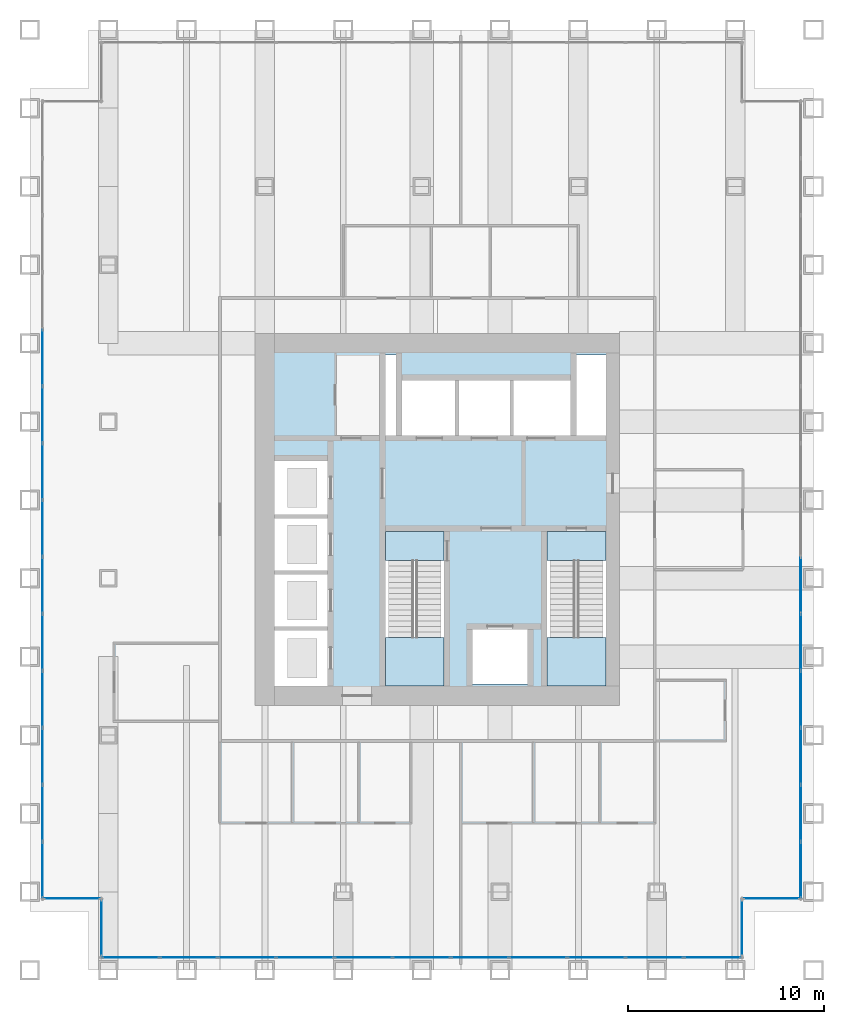
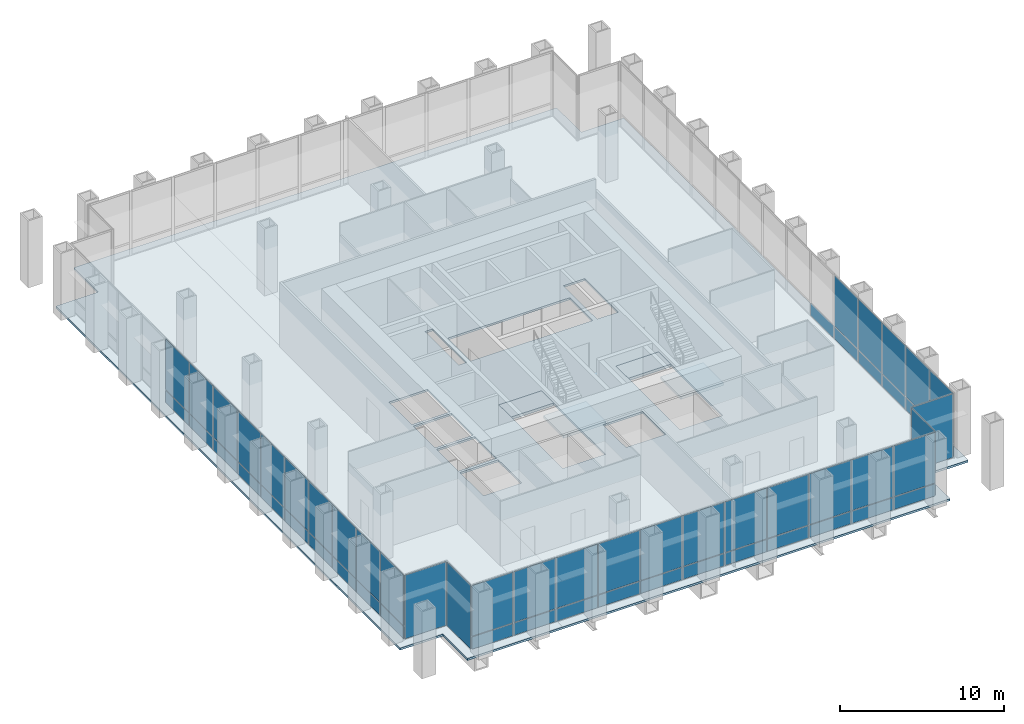
# One storey, part 8 of 13: 57 plates, 5 slabs, 9 elements without a shape of their own.
"""IFC4 building model written with IfcOpenShell, lengths in metres."""

from ifc_helpers import new_model, si_unit, direction, frame, origin, origin_2d, place, context, subcontext, project, spatial, polyline, rectangle, outline, extrude, material, layer, layer_set, type_object, element, aggregate, save


model = new_model("IFC4")

# Units and contexts
model_context = context("Model", 3, precision=1e-05, world=origin(), true_north=direction((0.0, 1.0)))
body_context = subcontext(model_context, "Body", "Model", "MODEL_VIEW")
ifc_project = project(units=[si_unit("LENGTHUNIT", "METRE"), si_unit("AREAUNIT", "SQUARE_METRE"), si_unit("VOLUMEUNIT", "CUBIC_METRE"), si_unit("PLANEANGLEUNIT", "RADIAN"), si_unit("MASSUNIT", "GRAM", prefix="KILO")], contexts=[model_context])

# Site, building, storey
site_placement = place(None, origin())
site = spatial("IfcSite", under=ifc_project, at=site_placement, CompositionType="ELEMENT")
building_placement = place(site_placement, origin())
building = spatial("IfcBuilding", under=site, at=building_placement, Name="Rimbunsela Tower", CompositionType="ELEMENT")
storey_placement = place(building_placement, frame((0.0, 0.0, 142.800048828125)))
storey = spatial("IfcBuildingStorey", under=building, at=storey_placement, Name="L34", CompositionType="ELEMENT", Elevation=142.800048828125)

# Slab
ifc_material_1 = material(Name="Concrete fc' 35 MPa", Category="concrete")
ifc_layer_1 = layer(ifc_material_1, 0.14990234375)
ifc_layer_set_1 = layer_set([ifc_layer_1], Name="Floor slab 150")
slab_type_1 = type_object("IfcSlabType", Name="Floor slab 150", PredefinedType="FLOOR", material=ifc_layer_set_1)
slab_1_placement = place(storey_placement, frame((0.0, 0.0, -0.150146484375)))
element("IfcSlab", 1, at=slab_1_placement, inside=storey, type_object=slab_type_1, Name="Floor slab L34", PredefinedType="FLOOR", context=body_context, shape_type="SweptSolid", body=[
    extrude(outline(polyline([(9.0, 4.0), (43.0, 4.0), (43.0, 7.0), (46.0, 7.0), (46.0, 49.0), (43.0, 49.0), (43.0, 52.0), (9.0, 52.0), (9.0, 49.0), (6.0, 49.0), (6.0, 7.0), (9.0, 7.0), (9.0, 4.0)]), holes=[polyline([(21.199951171875, 21.35009765625), (18.5, 21.35009765625), (18.5, 18.5), (21.199951171875, 18.5), (21.199951171875, 21.35009765625)]), polyline([(21.199951171875, 21.550048828125), (21.199951171875, 24.199951171875), (18.5, 24.199951171875), (18.5, 21.550048828125), (21.199951171875, 21.550048828125)]), polyline([(21.199951171875, 27.050048828125), (18.5, 27.050048828125), (18.5, 24.39990234375), (21.199951171875, 24.39990234375), (21.199951171875, 27.050048828125)]), polyline([(21.199951171875, 27.25), (21.199951171875, 30.0), (18.5, 30.0), (18.5, 27.25), (21.199951171875, 27.25)]), polyline([(27.14990234375, 18.60009765625), (27.14990234375, 26.39990234375), (24.14990234375, 26.39990234375), (24.14990234375, 18.60009765625), (27.14990234375, 18.60009765625)]), polyline([(24.699951171875, 31.300048828125), (24.699951171875, 35.39990234375), (24.14990234375, 35.39990234375), (24.14990234375, 31.300048828125), (24.699951171875, 31.300048828125)]), polyline([(25.0, 34.10009765625), (25.0, 31.300048828125), (33.60009765625, 31.300048828125), (33.60009765625, 34.10009765625), (25.0, 34.10009765625)]), polyline([(31.39990234375, 21.39990234375), (28.60009765625, 21.39990234375), (28.60009765625, 18.60009765625), (31.39990234375, 18.60009765625), (31.39990234375, 21.39990234375)]), polyline([(35.39990234375, 18.60009765625), (35.39990234375, 26.39990234375), (32.39990234375, 26.39990234375), (32.39990234375, 18.60009765625), (35.39990234375, 18.60009765625)]), polyline([(35.39990234375, 31.300048828125), (35.39990234375, 35.39990234375), (33.89990234375, 35.39990234375), (33.89990234375, 31.300048828125), (35.39990234375, 31.300048828125)])]), origin(), (0.0, 0.0, 1.0), 0.150146484375),
])

# Curtain wall, plate
ifc_material_2 = material(Name="Aluminium curtain wall", Category="aluminium")
curtain_wall_type_1 = type_object("IfcCurtainWallType", Name="Corner glazing", PredefinedType="USERDEFINED", material=ifc_material_2)
curtain_wall_1_placement = place(storey_placement, origin())
curtain_wall_1 = element("IfcCurtainWall", 2, at=curtain_wall_1_placement, inside=storey, type_object=curtain_wall_type_1, Name="Corner glazing L34", ObjectType="CORNER GLAZING", PredefinedType="USERDEFINED")
ifc_material_3 = material(Name="Clear double glazing", Category="glass")
ifc_layer_2 = layer(ifc_material_3, 0.028076171875)
ifc_layer_set_2 = layer_set([ifc_layer_2], Name="Glazed panel clear")
plate_type = type_object("IfcPlateType", Name="Glazed panel clear", PredefinedType="CURTAIN_PANEL", material=ifc_layer_set_2)
plate_1_placement = place(storey_placement, frame((42.35009765625, 6.14990234375, 0.06005859375), z_axis=(0.0, 0.0, 1.0), x_axis=(0.0, 1.0, 0.0)))
plate_1 = element("IfcPlate", 3, at=plate_1_placement, type_object=plate_type, Name="CW5 panel 1.1", PredefinedType="CURTAIN_PANEL", context=body_context, shape_type="SweptSolid", body=[
    extrude(rectangle(XDim=2.8798828125, YDim=0.028076171875, at=origin_2d()), origin(), (0.0, 0.0, 1.0), 4.72998046875),
])
aggregate(curtain_wall_1, [plate_1])

curtain_wall_2_placement = place(storey_placement, origin())
curtain_wall_2 = element("IfcCurtainWall", 4, at=curtain_wall_2_placement, inside=storey, type_object=curtain_wall_type_1, Name="Corner glazing L34", ObjectType="CORNER GLAZING", PredefinedType="USERDEFINED")
plate_2_placement = place(storey_placement, frame((43.85009765625, 7.64990234375, 0.06005859375), z_axis=(0.0, 0.0, 1.0), x_axis=(1.0, 0.0, 0.0)))
plate_2 = element("IfcPlate", 5, at=plate_2_placement, type_object=plate_type, Name="CW5 panel 1.1", PredefinedType="CURTAIN_PANEL", context=body_context, shape_type="SweptSolid", body=[
    extrude(rectangle(XDim=2.8798828125, YDim=0.028076171875, at=origin_2d()), origin(), (0.0, 0.0, 1.0), 4.72998046875),
])
aggregate(curtain_wall_2, [plate_2])

# Curtain wall, plates
ifc_material_4 = material(Name="Aluminium curtain wall", Category="aluminium")
curtain_wall_type_2 = type_object("IfcCurtainWallType", Name="Sky lobby glazing", PredefinedType="USERDEFINED", material=ifc_material_4)
curtain_wall_3_placement = place(storey_placement, origin())
curtain_wall_3 = element("IfcCurtainWall", 6, at=curtain_wall_3_placement, inside=storey, type_object=curtain_wall_type_2, Name="Sky lobby glazing L34", ObjectType="SKY LOBBY GLAZING", PredefinedType="USERDEFINED")
plate_3_placement = place(storey_placement, frame((45.35009765625, 9.11865234375, 0.06005859375), z_axis=(0.0, 0.0, 1.0), x_axis=(0.0, 1.0, 0.0)))
plate_3 = element("IfcPlate", 7, at=plate_3_placement, type_object=plate_type, Name="CW4 panel 1.1", PredefinedType="CURTAIN_PANEL", context=body_context, shape_type="SweptSolid", body=[
    extrude(rectangle(XDim=2.817138671875, YDim=0.028076171875, at=origin_2d()), origin(), (0.0, 0.0, 1.0), 0.909912109375),
])
plate_4_placement = place(storey_placement, frame((45.35009765625, 9.11865234375, 1.02978515625), z_axis=(0.0, 0.0, 1.0), x_axis=(0.0, 1.0, 0.0)))
plate_4 = element("IfcPlate", 8, at=plate_4_placement, type_object=plate_type, Name="CW4 panel 1.2", PredefinedType="CURTAIN_PANEL", context=body_context, shape_type="SweptSolid", body=[
    extrude(rectangle(XDim=2.817138671875, YDim=0.028076171875, at=origin_2d()), origin(), (0.0, 0.0, 1.0), 3.760009765625),
])
plate_5_placement = place(storey_placement, frame((45.35009765625, 12.0107421875, 0.06005859375), z_axis=(0.0, 0.0, 1.0), x_axis=(0.0, 1.0, 0.0)))
plate_5 = element("IfcPlate", 9, at=plate_5_placement, type_object=plate_type, Name="CW4 panel 2.1", PredefinedType="CURTAIN_PANEL", context=body_context, shape_type="SweptSolid", body=[
    extrude(rectangle(XDim=2.84716796875, YDim=0.028076171875, at=origin_2d()), origin(), (0.0, 0.0, 1.0), 0.909912109375),
])
plate_6_placement = place(storey_placement, frame((45.35009765625, 12.0107421875, 1.02978515625), z_axis=(0.0, 0.0, 1.0), x_axis=(0.0, 1.0, 0.0)))
plate_6 = element("IfcPlate", 10, at=plate_6_placement, type_object=plate_type, Name="CW4 panel 2.2", PredefinedType="CURTAIN_PANEL", context=body_context, shape_type="SweptSolid", body=[
    extrude(rectangle(XDim=2.84716796875, YDim=0.028076171875, at=origin_2d()), origin(), (0.0, 0.0, 1.0), 3.760009765625),
])
plate_7_placement = place(storey_placement, frame((45.35009765625, 14.91796875, 0.06005859375), z_axis=(0.0, 0.0, 1.0), x_axis=(0.0, 1.0, 0.0)))
plate_7 = element("IfcPlate", 11, at=plate_7_placement, type_object=plate_type, Name="CW4 panel 3.1", PredefinedType="CURTAIN_PANEL", context=body_context, shape_type="SweptSolid", body=[
    extrude(rectangle(XDim=2.84716796875, YDim=0.028076171875, at=origin_2d()), origin(), (0.0, 0.0, 1.0), 0.909912109375),
])
plate_8_placement = place(storey_placement, frame((45.35009765625, 14.91796875, 1.02978515625), z_axis=(0.0, 0.0, 1.0), x_axis=(0.0, 1.0, 0.0)))
plate_8 = element("IfcPlate", 12, at=plate_8_placement, type_object=plate_type, Name="CW4 panel 3.2", PredefinedType="CURTAIN_PANEL", context=body_context, shape_type="SweptSolid", body=[
    extrude(rectangle(XDim=2.84716796875, YDim=0.028076171875, at=origin_2d()), origin(), (0.0, 0.0, 1.0), 3.760009765625),
])
plate_9_placement = place(storey_placement, frame((45.35009765625, 17.824951171875, 0.06005859375), z_axis=(0.0, 0.0, 1.0), x_axis=(0.0, 1.0, 0.0)))
plate_9 = element("IfcPlate", 13, at=plate_9_placement, type_object=plate_type, Name="CW4 panel 4.1", PredefinedType="CURTAIN_PANEL", context=body_context, shape_type="SweptSolid", body=[
    extrude(rectangle(XDim=2.84716796875, YDim=0.028076171875, at=origin_2d()), origin(), (0.0, 0.0, 1.0), 0.909912109375),
])
plate_10_placement = place(storey_placement, frame((45.35009765625, 17.824951171875, 1.02978515625), z_axis=(0.0, 0.0, 1.0), x_axis=(0.0, 1.0, 0.0)))
plate_10 = element("IfcPlate", 14, at=plate_10_placement, type_object=plate_type, Name="CW4 panel 4.2", PredefinedType="CURTAIN_PANEL", context=body_context, shape_type="SweptSolid", body=[
    extrude(rectangle(XDim=2.84716796875, YDim=0.028076171875, at=origin_2d()), origin(), (0.0, 0.0, 1.0), 3.760009765625),
])
plate_11_placement = place(storey_placement, frame((45.35009765625, 20.732177734375, 0.06005859375), z_axis=(0.0, 0.0, 1.0), x_axis=(0.0, 1.0, 0.0)))
plate_11 = element("IfcPlate", 15, at=plate_11_placement, type_object=plate_type, Name="CW4 panel 5.1", PredefinedType="CURTAIN_PANEL", context=body_context, shape_type="SweptSolid", body=[
    extrude(rectangle(XDim=2.84716796875, YDim=0.028076171875, at=origin_2d()), origin(), (0.0, 0.0, 1.0), 0.909912109375),
])
plate_12_placement = place(storey_placement, frame((45.35009765625, 20.732177734375, 1.02978515625), z_axis=(0.0, 0.0, 1.0), x_axis=(0.0, 1.0, 0.0)))
plate_12 = element("IfcPlate", 16, at=plate_12_placement, type_object=plate_type, Name="CW4 panel 5.2", PredefinedType="CURTAIN_PANEL", context=body_context, shape_type="SweptSolid", body=[
    extrude(rectangle(XDim=2.84716796875, YDim=0.028076171875, at=origin_2d()), origin(), (0.0, 0.0, 1.0), 3.760009765625),
])
plate_13_placement = place(storey_placement, frame((45.35009765625, 23.639404296875, 0.06005859375), z_axis=(0.0, 0.0, 1.0), x_axis=(0.0, 1.0, 0.0)))
plate_13 = element("IfcPlate", 17, at=plate_13_placement, type_object=plate_type, Name="CW4 panel 6.1", PredefinedType="CURTAIN_PANEL", context=body_context, shape_type="SweptSolid", body=[
    extrude(rectangle(XDim=2.84716796875, YDim=0.028076171875, at=origin_2d()), origin(), (0.0, 0.0, 1.0), 0.909912109375),
])
aggregate(curtain_wall_3, [plate_3, plate_4, plate_5, plate_6, plate_7, plate_8, plate_9, plate_10, plate_11, plate_12, plate_13])

curtain_wall_4_placement = place(storey_placement, origin())
curtain_wall_4 = element("IfcCurtainWall", 18, at=curtain_wall_4_placement, inside=storey, type_object=curtain_wall_type_2, Name="Sky lobby glazing L34", ObjectType="SKY LOBBY GLAZING", PredefinedType="USERDEFINED")
plate_14_placement = place(storey_placement, frame((6.64990234375, 35.267822265625, 0.06005859375), z_axis=(0.0, 0.0, 1.0), x_axis=(0.0, -1.0, 0.0)))
plate_14 = element("IfcPlate", 19, at=plate_14_placement, type_object=plate_type, Name="CW4 panel 5.1", PredefinedType="CURTAIN_PANEL", context=body_context, shape_type="SweptSolid", body=[
    extrude(rectangle(XDim=2.84716796875, YDim=0.028076171875, at=origin_2d()), origin(), (0.0, 0.0, 1.0), 0.909912109375),
])
plate_15_placement = place(storey_placement, frame((6.64990234375, 35.267822265625, 1.02978515625), z_axis=(0.0, 0.0, 1.0), x_axis=(0.0, -1.0, 0.0)))
plate_15 = element("IfcPlate", 20, at=plate_15_placement, type_object=plate_type, Name="CW4 panel 5.2", PredefinedType="CURTAIN_PANEL", context=body_context, shape_type="SweptSolid", body=[
    extrude(rectangle(XDim=2.84716796875, YDim=0.028076171875, at=origin_2d()), origin(), (0.0, 0.0, 1.0), 3.760009765625),
])
plate_16_placement = place(storey_placement, frame((6.64990234375, 32.360595703125, 0.06005859375), z_axis=(0.0, 0.0, 1.0), x_axis=(0.0, -1.0, 0.0)))
plate_16 = element("IfcPlate", 21, at=plate_16_placement, type_object=plate_type, Name="CW4 panel 6.1", PredefinedType="CURTAIN_PANEL", context=body_context, shape_type="SweptSolid", body=[
    extrude(rectangle(XDim=2.84716796875, YDim=0.028076171875, at=origin_2d()), origin(), (0.0, 0.0, 1.0), 0.909912109375),
])
plate_17_placement = place(storey_placement, frame((6.64990234375, 32.360595703125, 1.02978515625), z_axis=(0.0, 0.0, 1.0), x_axis=(0.0, -1.0, 0.0)))
plate_17 = element("IfcPlate", 22, at=plate_17_placement, type_object=plate_type, Name="CW4 panel 6.2", PredefinedType="CURTAIN_PANEL", context=body_context, shape_type="SweptSolid", body=[
    extrude(rectangle(XDim=2.84716796875, YDim=0.028076171875, at=origin_2d()), origin(), (0.0, 0.0, 1.0), 3.760009765625),
])
plate_18_placement = place(storey_placement, frame((6.64990234375, 29.45361328125, 0.06005859375), z_axis=(0.0, 0.0, 1.0), x_axis=(0.0, -1.0, 0.0)))
plate_18 = element("IfcPlate", 23, at=plate_18_placement, type_object=plate_type, Name="CW4 panel 7.1", PredefinedType="CURTAIN_PANEL", context=body_context, shape_type="SweptSolid", body=[
    extrude(rectangle(XDim=2.84716796875, YDim=0.028076171875, at=origin_2d()), origin(), (0.0, 0.0, 1.0), 0.909912109375),
])
plate_19_placement = place(storey_placement, frame((6.64990234375, 29.45361328125, 1.02978515625), z_axis=(0.0, 0.0, 1.0), x_axis=(0.0, -1.0, 0.0)))
plate_19 = element("IfcPlate", 24, at=plate_19_placement, type_object=plate_type, Name="CW4 panel 7.2", PredefinedType="CURTAIN_PANEL", context=body_context, shape_type="SweptSolid", body=[
    extrude(rectangle(XDim=2.84716796875, YDim=0.028076171875, at=origin_2d()), origin(), (0.0, 0.0, 1.0), 3.760009765625),
])
plate_20_placement = place(storey_placement, frame((6.64990234375, 26.54638671875, 0.06005859375), z_axis=(0.0, 0.0, 1.0), x_axis=(0.0, -1.0, 0.0)))
plate_20 = element("IfcPlate", 25, at=plate_20_placement, type_object=plate_type, Name="CW4 panel 8.1", PredefinedType="CURTAIN_PANEL", context=body_context, shape_type="SweptSolid", body=[
    extrude(rectangle(XDim=2.84716796875, YDim=0.028076171875, at=origin_2d()), origin(), (0.0, 0.0, 1.0), 0.909912109375),
])
plate_21_placement = place(storey_placement, frame((6.64990234375, 26.54638671875, 1.02978515625), z_axis=(0.0, 0.0, 1.0), x_axis=(0.0, -1.0, 0.0)))
plate_21 = element("IfcPlate", 26, at=plate_21_placement, type_object=plate_type, Name="CW4 panel 8.2", PredefinedType="CURTAIN_PANEL", context=body_context, shape_type="SweptSolid", body=[
    extrude(rectangle(XDim=2.84716796875, YDim=0.028076171875, at=origin_2d()), origin(), (0.0, 0.0, 1.0), 3.760009765625),
])
plate_22_placement = place(storey_placement, frame((6.64990234375, 23.639404296875, 0.06005859375), z_axis=(0.0, 0.0, 1.0), x_axis=(0.0, -1.0, 0.0)))
plate_22 = element("IfcPlate", 27, at=plate_22_placement, type_object=plate_type, Name="CW4 panel 9.1", PredefinedType="CURTAIN_PANEL", context=body_context, shape_type="SweptSolid", body=[
    extrude(rectangle(XDim=2.84716796875, YDim=0.028076171875, at=origin_2d()), origin(), (0.0, 0.0, 1.0), 0.909912109375),
])
plate_23_placement = place(storey_placement, frame((6.64990234375, 23.639404296875, 1.02978515625), z_axis=(0.0, 0.0, 1.0), x_axis=(0.0, -1.0, 0.0)))
plate_23 = element("IfcPlate", 28, at=plate_23_placement, type_object=plate_type, Name="CW4 panel 9.2", PredefinedType="CURTAIN_PANEL", context=body_context, shape_type="SweptSolid", body=[
    extrude(rectangle(XDim=2.84716796875, YDim=0.028076171875, at=origin_2d()), origin(), (0.0, 0.0, 1.0), 3.760009765625),
])
plate_24_placement = place(storey_placement, frame((6.64990234375, 20.732177734375, 0.06005859375), z_axis=(0.0, 0.0, 1.0), x_axis=(0.0, -1.0, 0.0)))
plate_24 = element("IfcPlate", 29, at=plate_24_placement, type_object=plate_type, Name="CW4 panel 10.1", PredefinedType="CURTAIN_PANEL", context=body_context, shape_type="SweptSolid", body=[
    extrude(rectangle(XDim=2.84716796875, YDim=0.028076171875, at=origin_2d()), origin(), (0.0, 0.0, 1.0), 0.909912109375),
])
plate_25_placement = place(storey_placement, frame((6.64990234375, 20.732177734375, 1.02978515625), z_axis=(0.0, 0.0, 1.0), x_axis=(0.0, -1.0, 0.0)))
plate_25 = element("IfcPlate", 30, at=plate_25_placement, type_object=plate_type, Name="CW4 panel 10.2", PredefinedType="CURTAIN_PANEL", context=body_context, shape_type="SweptSolid", body=[
    extrude(rectangle(XDim=2.84716796875, YDim=0.028076171875, at=origin_2d()), origin(), (0.0, 0.0, 1.0), 3.760009765625),
])
plate_26_placement = place(storey_placement, frame((6.64990234375, 17.824951171875, 0.06005859375), z_axis=(0.0, 0.0, 1.0), x_axis=(0.0, -1.0, 0.0)))
plate_26 = element("IfcPlate", 31, at=plate_26_placement, type_object=plate_type, Name="CW4 panel 11.1", PredefinedType="CURTAIN_PANEL", context=body_context, shape_type="SweptSolid", body=[
    extrude(rectangle(XDim=2.84716796875, YDim=0.028076171875, at=origin_2d()), origin(), (0.0, 0.0, 1.0), 0.909912109375),
])
plate_27_placement = place(storey_placement, frame((6.64990234375, 17.824951171875, 1.02978515625), z_axis=(0.0, 0.0, 1.0), x_axis=(0.0, -1.0, 0.0)))
plate_27 = element("IfcPlate", 32, at=plate_27_placement, type_object=plate_type, Name="CW4 panel 11.2", PredefinedType="CURTAIN_PANEL", context=body_context, shape_type="SweptSolid", body=[
    extrude(rectangle(XDim=2.84716796875, YDim=0.028076171875, at=origin_2d()), origin(), (0.0, 0.0, 1.0), 3.760009765625),
])
plate_28_placement = place(storey_placement, frame((6.64990234375, 14.91796875, 0.06005859375), z_axis=(0.0, 0.0, 1.0), x_axis=(0.0, -1.0, 0.0)))
plate_28 = element("IfcPlate", 33, at=plate_28_placement, type_object=plate_type, Name="CW4 panel 12.1", PredefinedType="CURTAIN_PANEL", context=body_context, shape_type="SweptSolid", body=[
    extrude(rectangle(XDim=2.84716796875, YDim=0.028076171875, at=origin_2d()), origin(), (0.0, 0.0, 1.0), 0.909912109375),
])
plate_29_placement = place(storey_placement, frame((6.64990234375, 14.91796875, 1.02978515625), z_axis=(0.0, 0.0, 1.0), x_axis=(0.0, -1.0, 0.0)))
plate_29 = element("IfcPlate", 34, at=plate_29_placement, type_object=plate_type, Name="CW4 panel 12.2", PredefinedType="CURTAIN_PANEL", context=body_context, shape_type="SweptSolid", body=[
    extrude(rectangle(XDim=2.84716796875, YDim=0.028076171875, at=origin_2d()), origin(), (0.0, 0.0, 1.0), 3.760009765625),
])
plate_30_placement = place(storey_placement, frame((6.64990234375, 12.0107421875, 0.06005859375), z_axis=(0.0, 0.0, 1.0), x_axis=(0.0, -1.0, 0.0)))
plate_30 = element("IfcPlate", 35, at=plate_30_placement, type_object=plate_type, Name="CW4 panel 13.1", PredefinedType="CURTAIN_PANEL", context=body_context, shape_type="SweptSolid", body=[
    extrude(rectangle(XDim=2.84716796875, YDim=0.028076171875, at=origin_2d()), origin(), (0.0, 0.0, 1.0), 0.909912109375),
])
plate_31_placement = place(storey_placement, frame((6.64990234375, 12.0107421875, 1.02978515625), z_axis=(0.0, 0.0, 1.0), x_axis=(0.0, -1.0, 0.0)))
plate_31 = element("IfcPlate", 36, at=plate_31_placement, type_object=plate_type, Name="CW4 panel 13.2", PredefinedType="CURTAIN_PANEL", context=body_context, shape_type="SweptSolid", body=[
    extrude(rectangle(XDim=2.84716796875, YDim=0.028076171875, at=origin_2d()), origin(), (0.0, 0.0, 1.0), 3.760009765625),
])
plate_32_placement = place(storey_placement, frame((6.64990234375, 9.11865234375, 0.06005859375), z_axis=(0.0, 0.0, 1.0), x_axis=(0.0, -1.0, 0.0)))
plate_32 = element("IfcPlate", 37, at=plate_32_placement, type_object=plate_type, Name="CW4 panel 14.1", PredefinedType="CURTAIN_PANEL", context=body_context, shape_type="SweptSolid", body=[
    extrude(rectangle(XDim=2.817138671875, YDim=0.028076171875, at=origin_2d()), origin(), (0.0, 0.0, 1.0), 0.909912109375),
])
plate_33_placement = place(storey_placement, frame((6.64990234375, 9.11865234375, 1.02978515625), z_axis=(0.0, 0.0, 1.0), x_axis=(0.0, -1.0, 0.0)))
plate_33 = element("IfcPlate", 38, at=plate_33_placement, type_object=plate_type, Name="CW4 panel 14.2", PredefinedType="CURTAIN_PANEL", context=body_context, shape_type="SweptSolid", body=[
    extrude(rectangle(XDim=2.817138671875, YDim=0.028076171875, at=origin_2d()), origin(), (0.0, 0.0, 1.0), 3.760009765625),
])
aggregate(curtain_wall_4, [plate_14, plate_15, plate_16, plate_17, plate_18, plate_19, plate_20, plate_21, plate_22, plate_23, plate_24, plate_25, plate_26, plate_27, plate_28, plate_29, plate_30, plate_31, plate_32, plate_33])

# Curtain wall, plate
curtain_wall_5_placement = place(storey_placement, origin())
curtain_wall_5 = element("IfcCurtainWall", 39, at=curtain_wall_5_placement, inside=storey, type_object=curtain_wall_type_1, Name="Corner glazing L34", ObjectType="CORNER GLAZING", PredefinedType="USERDEFINED")
plate_34_placement = place(storey_placement, frame((8.14990234375, 7.64990234375, 0.06005859375), z_axis=(0.0, 0.0, 1.0), x_axis=(1.0, 0.0, 0.0)))
plate_34 = element("IfcPlate", 40, at=plate_34_placement, type_object=plate_type, Name="CW5 panel 1.1", PredefinedType="CURTAIN_PANEL", context=body_context, shape_type="SweptSolid", body=[
    extrude(rectangle(XDim=2.8798828125, YDim=0.028076171875, at=origin_2d()), origin(), (0.0, 0.0, 1.0), 4.72998046875),
])
aggregate(curtain_wall_5, [plate_34])

curtain_wall_6_placement = place(storey_placement, origin())
curtain_wall_6 = element("IfcCurtainWall", 41, at=curtain_wall_6_placement, inside=storey, type_object=curtain_wall_type_1, Name="Corner glazing L34", ObjectType="CORNER GLAZING", PredefinedType="USERDEFINED")
plate_35_placement = place(storey_placement, frame((9.64990234375, 6.14990234375, 0.06005859375), z_axis=(0.0, 0.0, 1.0), x_axis=(0.0, -1.0, 0.0)))
plate_35 = element("IfcPlate", 42, at=plate_35_placement, type_object=plate_type, Name="CW5 panel 1.1", PredefinedType="CURTAIN_PANEL", context=body_context, shape_type="SweptSolid", body=[
    extrude(rectangle(XDim=2.8798828125, YDim=0.028076171875, at=origin_2d()), origin(), (0.0, 0.0, 1.0), 4.72998046875),
])
aggregate(curtain_wall_6, [plate_35])

# Curtain wall, plates
curtain_wall_7_placement = place(storey_placement, origin())
curtain_wall_7 = element("IfcCurtainWall", 43, at=curtain_wall_7_placement, inside=storey, type_object=curtain_wall_type_2, Name="Sky lobby glazing L34", ObjectType="SKY LOBBY GLAZING", PredefinedType="USERDEFINED")
plate_36_placement = place(storey_placement, frame((11.1513671875, 4.64990234375, 0.06005859375), z_axis=(0.0, 0.0, 1.0), x_axis=(1.0, 0.0, 0.0)))
plate_36 = element("IfcPlate", 44, at=plate_36_placement, type_object=plate_type, Name="CW4 panel 1.1", PredefinedType="CURTAIN_PANEL", context=body_context, shape_type="SweptSolid", body=[
    extrude(rectangle(XDim=2.8828125, YDim=0.028076171875, at=origin_2d()), origin(), (0.0, 0.0, 1.0), 0.909912109375),
])
plate_37_placement = place(storey_placement, frame((11.1513671875, 4.64990234375, 1.02978515625), z_axis=(0.0, 0.0, 1.0), x_axis=(1.0, 0.0, 0.0)))
plate_37 = element("IfcPlate", 45, at=plate_37_placement, type_object=plate_type, Name="CW4 panel 1.2", PredefinedType="CURTAIN_PANEL", context=body_context, shape_type="SweptSolid", body=[
    extrude(rectangle(XDim=2.8828125, YDim=0.028076171875, at=origin_2d()), origin(), (0.0, 0.0, 1.0), 3.760009765625),
])
plate_38_placement = place(storey_placement, frame((14.109130859375, 4.64990234375, 0.06005859375), z_axis=(0.0, 0.0, 1.0), x_axis=(1.0, 0.0, 0.0)))
plate_38 = element("IfcPlate", 46, at=plate_38_placement, type_object=plate_type, Name="CW4 panel 2.1", PredefinedType="CURTAIN_PANEL", context=body_context, shape_type="SweptSolid", body=[
    extrude(rectangle(XDim=2.912841796875, YDim=0.028076171875, at=origin_2d()), origin(), (0.0, 0.0, 1.0), 0.909912109375),
])
plate_39_placement = place(storey_placement, frame((14.109130859375, 4.64990234375, 1.02978515625), z_axis=(0.0, 0.0, 1.0), x_axis=(1.0, 0.0, 0.0)))
plate_39 = element("IfcPlate", 47, at=plate_39_placement, type_object=plate_type, Name="CW4 panel 2.2", PredefinedType="CURTAIN_PANEL", context=body_context, shape_type="SweptSolid", body=[
    extrude(rectangle(XDim=2.912841796875, YDim=0.028076171875, at=origin_2d()), origin(), (0.0, 0.0, 1.0), 3.760009765625),
])
plate_40_placement = place(storey_placement, frame((17.081787109375, 4.64990234375, 0.06005859375), z_axis=(0.0, 0.0, 1.0), x_axis=(1.0, 0.0, 0.0)))
plate_40 = element("IfcPlate", 48, at=plate_40_placement, type_object=plate_type, Name="CW4 panel 3.1", PredefinedType="CURTAIN_PANEL", context=body_context, shape_type="SweptSolid", body=[
    extrude(rectangle(XDim=2.912841796875, YDim=0.028076171875, at=origin_2d()), origin(), (0.0, 0.0, 1.0), 0.909912109375),
])
plate_41_placement = place(storey_placement, frame((17.081787109375, 4.64990234375, 1.02978515625), z_axis=(0.0, 0.0, 1.0), x_axis=(1.0, 0.0, 0.0)))
plate_41 = element("IfcPlate", 49, at=plate_41_placement, type_object=plate_type, Name="CW4 panel 3.2", PredefinedType="CURTAIN_PANEL", context=body_context, shape_type="SweptSolid", body=[
    extrude(rectangle(XDim=2.912841796875, YDim=0.028076171875, at=origin_2d()), origin(), (0.0, 0.0, 1.0), 3.760009765625),
])
plate_42_placement = place(storey_placement, frame((20.054443359375, 4.64990234375, 0.06005859375), z_axis=(0.0, 0.0, 1.0), x_axis=(1.0, 0.0, 0.0)))
plate_42 = element("IfcPlate", 50, at=plate_42_placement, type_object=plate_type, Name="CW4 panel 4.1", PredefinedType="CURTAIN_PANEL", context=body_context, shape_type="SweptSolid", body=[
    extrude(rectangle(XDim=2.912841796875, YDim=0.028076171875, at=origin_2d()), origin(), (0.0, 0.0, 1.0), 0.909912109375),
])
plate_43_placement = place(storey_placement, frame((20.054443359375, 4.64990234375, 1.02978515625), z_axis=(0.0, 0.0, 1.0), x_axis=(1.0, 0.0, 0.0)))
plate_43 = element("IfcPlate", 51, at=plate_43_placement, type_object=plate_type, Name="CW4 panel 4.2", PredefinedType="CURTAIN_PANEL", context=body_context, shape_type="SweptSolid", body=[
    extrude(rectangle(XDim=2.912841796875, YDim=0.028076171875, at=origin_2d()), origin(), (0.0, 0.0, 1.0), 3.760009765625),
])
plate_44_placement = place(storey_placement, frame((23.02734375, 4.64990234375, 0.06005859375), z_axis=(0.0, 0.0, 1.0), x_axis=(1.0, 0.0, 0.0)))
plate_44 = element("IfcPlate", 52, at=plate_44_placement, type_object=plate_type, Name="CW4 panel 5.1", PredefinedType="CURTAIN_PANEL", context=body_context, shape_type="SweptSolid", body=[
    extrude(rectangle(XDim=2.912841796875, YDim=0.028076171875, at=origin_2d()), origin(), (0.0, 0.0, 1.0), 0.909912109375),
])
plate_45_placement = place(storey_placement, frame((23.02734375, 4.64990234375, 1.02978515625), z_axis=(0.0, 0.0, 1.0), x_axis=(1.0, 0.0, 0.0)))
plate_45 = element("IfcPlate", 53, at=plate_45_placement, type_object=plate_type, Name="CW4 panel 5.2", PredefinedType="CURTAIN_PANEL", context=body_context, shape_type="SweptSolid", body=[
    extrude(rectangle(XDim=2.912841796875, YDim=0.028076171875, at=origin_2d()), origin(), (0.0, 0.0, 1.0), 3.760009765625),
])
plate_46_placement = place(storey_placement, frame((26.0, 4.64990234375, 0.06005859375), z_axis=(0.0, 0.0, 1.0), x_axis=(1.0, 0.0, 0.0)))
plate_46 = element("IfcPlate", 54, at=plate_46_placement, type_object=plate_type, Name="CW4 panel 6.1", PredefinedType="CURTAIN_PANEL", context=body_context, shape_type="SweptSolid", body=[
    extrude(rectangle(XDim=2.912841796875, YDim=0.028076171875, at=origin_2d()), origin(), (0.0, 0.0, 1.0), 0.909912109375),
])
plate_47_placement = place(storey_placement, frame((26.0, 4.64990234375, 1.02978515625), z_axis=(0.0, 0.0, 1.0), x_axis=(1.0, 0.0, 0.0)))
plate_47 = element("IfcPlate", 55, at=plate_47_placement, type_object=plate_type, Name="CW4 panel 6.2", PredefinedType="CURTAIN_PANEL", context=body_context, shape_type="SweptSolid", body=[
    extrude(rectangle(XDim=2.912841796875, YDim=0.028076171875, at=origin_2d()), origin(), (0.0, 0.0, 1.0), 3.760009765625),
])
plate_48_placement = place(storey_placement, frame((28.97265625, 4.64990234375, 0.06005859375), z_axis=(0.0, 0.0, 1.0), x_axis=(1.0, 0.0, 0.0)))
plate_48 = element("IfcPlate", 56, at=plate_48_placement, type_object=plate_type, Name="CW4 panel 7.1", PredefinedType="CURTAIN_PANEL", context=body_context, shape_type="SweptSolid", body=[
    extrude(rectangle(XDim=2.912841796875, YDim=0.028076171875, at=origin_2d()), origin(), (0.0, 0.0, 1.0), 0.909912109375),
])
plate_49_placement = place(storey_placement, frame((28.97265625, 4.64990234375, 1.02978515625), z_axis=(0.0, 0.0, 1.0), x_axis=(1.0, 0.0, 0.0)))
plate_49 = element("IfcPlate", 57, at=plate_49_placement, type_object=plate_type, Name="CW4 panel 7.2", PredefinedType="CURTAIN_PANEL", context=body_context, shape_type="SweptSolid", body=[
    extrude(rectangle(XDim=2.912841796875, YDim=0.028076171875, at=origin_2d()), origin(), (0.0, 0.0, 1.0), 3.760009765625),
])
plate_50_placement = place(storey_placement, frame((31.945556640625, 4.64990234375, 0.06005859375), z_axis=(0.0, 0.0, 1.0), x_axis=(1.0, 0.0, 0.0)))
plate_50 = element("IfcPlate", 58, at=plate_50_placement, type_object=plate_type, Name="CW4 panel 8.1", PredefinedType="CURTAIN_PANEL", context=body_context, shape_type="SweptSolid", body=[
    extrude(rectangle(XDim=2.912841796875, YDim=0.028076171875, at=origin_2d()), origin(), (0.0, 0.0, 1.0), 0.909912109375),
])
plate_51_placement = place(storey_placement, frame((31.945556640625, 4.64990234375, 1.02978515625), z_axis=(0.0, 0.0, 1.0), x_axis=(1.0, 0.0, 0.0)))
plate_51 = element("IfcPlate", 59, at=plate_51_placement, type_object=plate_type, Name="CW4 panel 8.2", PredefinedType="CURTAIN_PANEL", context=body_context, shape_type="SweptSolid", body=[
    extrude(rectangle(XDim=2.912841796875, YDim=0.028076171875, at=origin_2d()), origin(), (0.0, 0.0, 1.0), 3.760009765625),
])
plate_52_placement = place(storey_placement, frame((34.918212890625, 4.64990234375, 0.06005859375), z_axis=(0.0, 0.0, 1.0), x_axis=(1.0, 0.0, 0.0)))
plate_52 = element("IfcPlate", 60, at=plate_52_placement, type_object=plate_type, Name="CW4 panel 9.1", PredefinedType="CURTAIN_PANEL", context=body_context, shape_type="SweptSolid", body=[
    extrude(rectangle(XDim=2.912841796875, YDim=0.028076171875, at=origin_2d()), origin(), (0.0, 0.0, 1.0), 0.909912109375),
])
plate_53_placement = place(storey_placement, frame((34.918212890625, 4.64990234375, 1.02978515625), z_axis=(0.0, 0.0, 1.0), x_axis=(1.0, 0.0, 0.0)))
plate_53 = element("IfcPlate", 61, at=plate_53_placement, type_object=plate_type, Name="CW4 panel 9.2", PredefinedType="CURTAIN_PANEL", context=body_context, shape_type="SweptSolid", body=[
    extrude(rectangle(XDim=2.912841796875, YDim=0.028076171875, at=origin_2d()), origin(), (0.0, 0.0, 1.0), 3.760009765625),
])
plate_54_placement = place(storey_placement, frame((37.890869140625, 4.64990234375, 0.06005859375), z_axis=(0.0, 0.0, 1.0), x_axis=(1.0, 0.0, 0.0)))
plate_54 = element("IfcPlate", 62, at=plate_54_placement, type_object=plate_type, Name="CW4 panel 10.1", PredefinedType="CURTAIN_PANEL", context=body_context, shape_type="SweptSolid", body=[
    extrude(rectangle(XDim=2.912841796875, YDim=0.028076171875, at=origin_2d()), origin(), (0.0, 0.0, 1.0), 0.909912109375),
])
plate_55_placement = place(storey_placement, frame((37.890869140625, 4.64990234375, 1.02978515625), z_axis=(0.0, 0.0, 1.0), x_axis=(1.0, 0.0, 0.0)))
plate_55 = element("IfcPlate", 63, at=plate_55_placement, type_object=plate_type, Name="CW4 panel 10.2", PredefinedType="CURTAIN_PANEL", context=body_context, shape_type="SweptSolid", body=[
    extrude(rectangle(XDim=2.912841796875, YDim=0.028076171875, at=origin_2d()), origin(), (0.0, 0.0, 1.0), 3.760009765625),
])
plate_56_placement = place(storey_placement, frame((40.8486328125, 4.64990234375, 0.06005859375), z_axis=(0.0, 0.0, 1.0), x_axis=(1.0, 0.0, 0.0)))
plate_56 = element("IfcPlate", 64, at=plate_56_placement, type_object=plate_type, Name="CW4 panel 11.1", PredefinedType="CURTAIN_PANEL", context=body_context, shape_type="SweptSolid", body=[
    extrude(rectangle(XDim=2.8828125, YDim=0.028076171875, at=origin_2d()), origin(), (0.0, 0.0, 1.0), 0.909912109375),
])
plate_57_placement = place(storey_placement, frame((40.8486328125, 4.64990234375, 1.02978515625), z_axis=(0.0, 0.0, 1.0), x_axis=(1.0, 0.0, 0.0)))
plate_57 = element("IfcPlate", 65, at=plate_57_placement, type_object=plate_type, Name="CW4 panel 11.2", PredefinedType="CURTAIN_PANEL", context=body_context, shape_type="SweptSolid", body=[
    extrude(rectangle(XDim=2.8828125, YDim=0.028076171875, at=origin_2d()), origin(), (0.0, 0.0, 1.0), 3.760009765625),
])
aggregate(curtain_wall_7, [plate_36, plate_37, plate_38, plate_39, plate_40, plate_41, plate_42, plate_43, plate_44, plate_45, plate_46, plate_47, plate_48, plate_49, plate_50, plate_51, plate_52, plate_53, plate_54, plate_55, plate_56, plate_57])

# Stair, slabs
ifc_material_5 = material(Name="Concrete fc' 35 MPa", Category="concrete")
stair_type = type_object("IfcStairType", Name="Exit stair 30 risers", PredefinedType="HALF_TURN_STAIR", material=ifc_material_5)
stair_1_placement = place(storey_placement, origin())
stair_1 = element("IfcStair", 66, at=stair_1_placement, inside=storey, type_object=stair_type, Name="Exit stair A L34", PredefinedType="HALF_TURN_STAIR")
ifc_material_6 = material(Name="Concrete fc' 35 MPa", Category="concrete")
ifc_layer_3 = layer(ifc_material_6, 0.199951171875)
ifc_layer_set_3 = layer_set([ifc_layer_3], Name="Stair landing 200")
slab_type_2 = type_object("IfcSlabType", Name="Stair landing 200", PredefinedType="LANDING", material=ifc_layer_set_3)
slab_2_placement = place(storey_placement, frame((0.0, 0.0, -0.199951171875)))
slab_2 = element("IfcSlab", 67, at=slab_2_placement, type_object=slab_type_2, Name="ST-A landing 1", PredefinedType="LANDING", context=body_context, shape_type="SweptSolid", body=[
    extrude(outline(polyline([(24.14990234375, 24.89990234375), (27.14990234375, 24.89990234375), (27.14990234375, 26.39990234375), (24.14990234375, 26.39990234375), (24.14990234375, 24.89990234375)])), origin(), (0.0, 0.0, 1.0), 0.199951171875),
])
slab_3_placement = place(storey_placement, frame((0.0, 0.0, 2.300048828125)))
slab_3 = element("IfcSlab", 68, at=slab_3_placement, type_object=slab_type_2, Name="ST-A landing 2", PredefinedType="LANDING", context=body_context, shape_type="SweptSolid", body=[
    extrude(outline(polyline([(24.14990234375, 18.5), (27.14990234375, 18.5), (27.14990234375, 20.97998046875), (24.14990234375, 20.97998046875), (24.14990234375, 18.5)])), origin(), (0.0, 0.0, 1.0), 0.199951171875),
])
aggregate(stair_1, [slab_2, slab_3])

stair_2_placement = place(storey_placement, origin())
stair_2 = element("IfcStair", 69, at=stair_2_placement, inside=storey, type_object=stair_type, Name="Exit stair B L34", PredefinedType="HALF_TURN_STAIR")
slab_4_placement = place(storey_placement, frame((0.0, 0.0, -0.199951171875)))
slab_4 = element("IfcSlab", 70, at=slab_4_placement, type_object=slab_type_2, Name="ST-B landing 1", PredefinedType="LANDING", context=body_context, shape_type="SweptSolid", body=[
    extrude(outline(polyline([(32.39990234375, 24.89990234375), (35.39990234375, 24.89990234375), (35.39990234375, 26.39990234375), (32.39990234375, 26.39990234375), (32.39990234375, 24.89990234375)])), origin(), (0.0, 0.0, 1.0), 0.199951171875),
])
slab_5_placement = place(storey_placement, frame((0.0, 0.0, 2.300048828125)))
slab_5 = element("IfcSlab", 71, at=slab_5_placement, type_object=slab_type_2, Name="ST-B landing 2", PredefinedType="LANDING", context=body_context, shape_type="SweptSolid", body=[
    extrude(outline(polyline([(32.39990234375, 18.5), (35.39990234375, 18.5), (35.39990234375, 20.97998046875), (32.39990234375, 20.97998046875), (32.39990234375, 18.5)])), origin(), (0.0, 0.0, 1.0), 0.199951171875),
])
aggregate(stair_2, [slab_4, slab_5])

save(model, "model.ifc")
